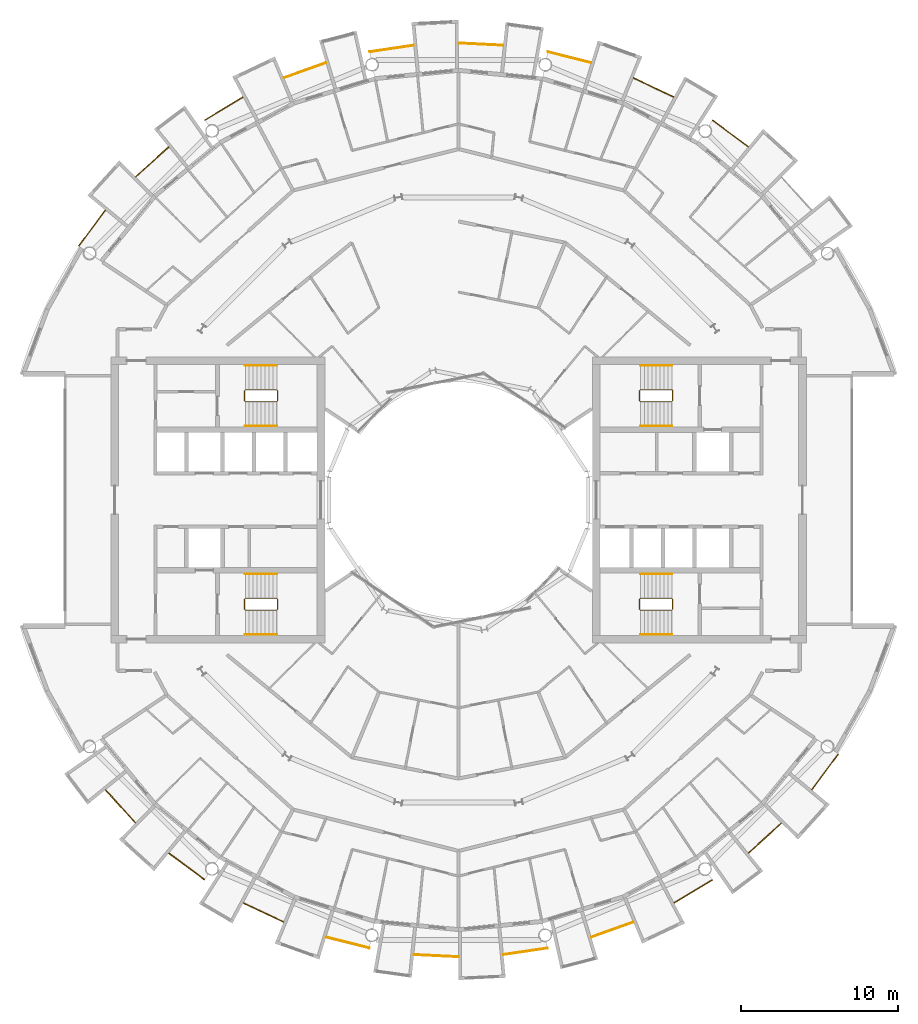
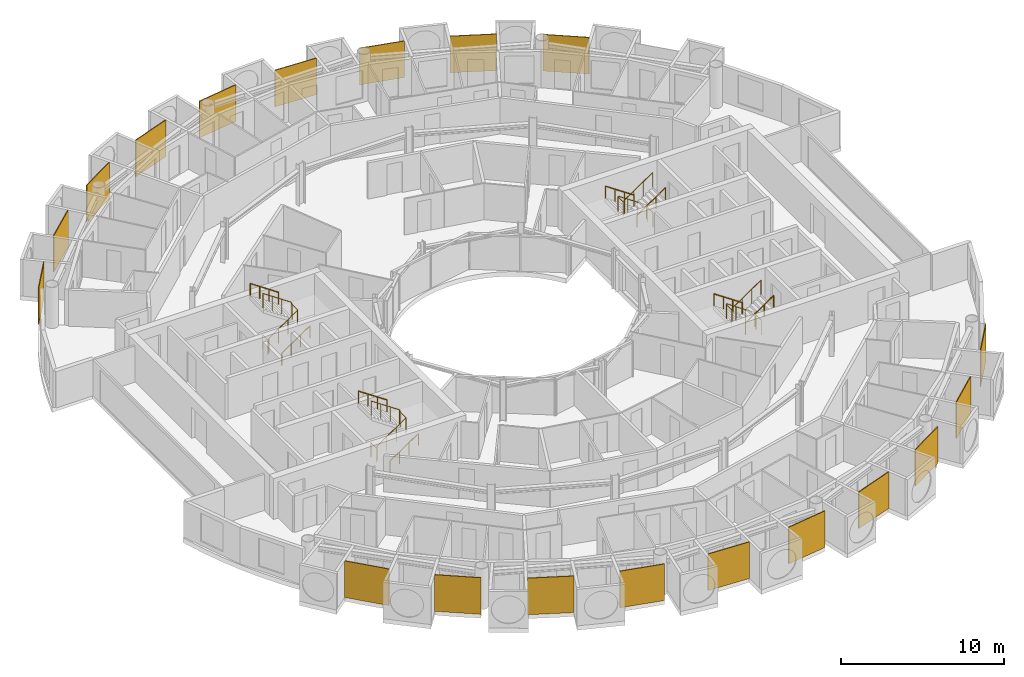
# One storey, part 26 of 27: 31 railings.
"""IFC4 building model written with IfcOpenShell, lengths in metres."""

from ifc_helpers import new_model, si_unit, direction, frame, origin, origin_2d, place, context, subcontext, project, spatial, polyline, circle, outline, extrude, material, layer, layer_set, type_object, element, save


model = new_model("IFC4")

# Units and contexts
model_context = context("Model", 3, precision=1e-05, world=origin(), true_north=direction((0.0, 1.0)))
body_context = subcontext(model_context, "Body", "Model", "MODEL_VIEW")
ifc_project = project(units=[si_unit("LENGTHUNIT", "METRE"), si_unit("AREAUNIT", "SQUARE_METRE"), si_unit("VOLUMEUNIT", "CUBIC_METRE"), si_unit("PLANEANGLEUNIT", "RADIAN"), si_unit("MASSUNIT", "GRAM", prefix="KILO")], contexts=[model_context])

# Site, building, storey
site_placement = place(None, origin())
site = spatial("IfcSite", under=ifc_project, at=site_placement, CompositionType="ELEMENT")
building_placement = place(site_placement, origin())
building = spatial("IfcBuilding", under=site, at=building_placement, Name="Maasbend Ring Residences", CompositionType="ELEMENT")
storey_placement = place(building_placement, frame((0.0, 0.0, 164.64990234375)))
storey = spatial("IfcBuildingStorey", under=building, at=storey_placement, Name="L47", CompositionType="ELEMENT", Elevation=164.64990234375)

# Railings
ifc_material_1 = material(Name="Pale anodised perforated aluminium", Category="aluminium")
ifc_layer = layer(ifc_material_1, 0.06005859375)
ifc_layer_set = layer_set([ifc_layer], Name="SCREEN-P")
railing_type_1 = type_object("IfcRailingType", Name="SCREEN-P", PredefinedType="GUARDRAIL", material=ifc_layer_set)
railing_1_placement = place(storey_placement, frame((0.0, 0.0, -0.02978515625)))
element("IfcRailing", 1, at=railing_1_placement, inside=storey, type_object=railing_type_1, Name="Perforated screen guard 2", PredefinedType="GUARDRAIL", context=body_context, shape_type="SweptSolid", body=[
    extrude(outline(polyline([(18.39697265625, 22.4169921875), (16.112060546875, 24.113037109375), (16.14697265625, 24.160888671875), (18.43310546875, 22.465087890625), (18.39697265625, 22.4169921875)])), origin(), (0.0, 0.0, 1.0), 2.72998046875),
])
railing_2_placement = place(storey_placement, frame((0.0, 0.0, -0.02978515625)))
element("IfcRailing", 2, at=railing_2_placement, inside=storey, type_object=railing_type_1, Name="Perforated screen guard 3", PredefinedType="GUARDRAIL", context=body_context, shape_type="SweptSolid", body=[
    extrude(outline(polyline([(13.6708984375, 25.575927734375), (11.097900390625, 26.79296875), (11.123046875, 26.846923828125), (13.696044921875, 25.6298828125), (13.6708984375, 25.575927734375)])), origin(), (0.0, 0.0, 1.0), 2.72998046875),
])
railing_3_placement = place(storey_placement, frame((0.0, 0.0, -0.02978515625)))
element("IfcRailing", 3, at=railing_3_placement, inside=storey, type_object=railing_type_1, Name="Perforated screen guard 4", PredefinedType="GUARDRAIL", context=body_context, shape_type="SweptSolid", body=[
    extrude(outline(polyline([(8.41796875, 27.7509765625), (5.657958984375, 28.443115234375), (5.672119140625, 28.5009765625), (8.43310546875, 27.80908203125), (8.41796875, 27.7509765625)])), origin(), (0.0, 0.0, 1.0), 2.72998046875),
])
railing_4_placement = place(storey_placement, frame((0.0, 0.0, -0.02978515625)))
element("IfcRailing", 4, at=railing_4_placement, inside=storey, type_object=railing_type_1, Name="Perforated screen guard 5", PredefinedType="GUARDRAIL", context=body_context, shape_type="SweptSolid", body=[
    extrude(outline(polyline([(2.842041015625, 28.860107421875), (0.0, 29.0), (0.0029296875, 29.06005859375), (2.844970703125, 28.919921875), (2.842041015625, 28.860107421875)])), origin(), (0.0, 0.0, 1.0), 2.72998046875),
])
railing_5_placement = place(storey_placement, frame((0.0, 0.0, -0.02978515625)))
element("IfcRailing", 5, at=railing_5_placement, inside=storey, type_object=railing_type_1, Name="Perforated screen guard 6", PredefinedType="GUARDRAIL", context=body_context, shape_type="SweptSolid", body=[
    extrude(outline(polyline([(-2.842041015625, 28.860107421875), (-5.657958984375, 28.443115234375), (-5.666015625, 28.501953125), (-2.85107421875, 28.919921875), (-2.842041015625, 28.860107421875)])), origin(), (0.0, 0.0, 1.0), 2.72998046875),
])
railing_6_placement = place(storey_placement, frame((0.0, 0.0, -0.02978515625)))
element("IfcRailing", 6, at=railing_6_placement, inside=storey, type_object=railing_type_1, Name="Perforated screen guard 7", PredefinedType="GUARDRAIL", context=body_context, shape_type="SweptSolid", body=[
    extrude(outline(polyline([(-8.41796875, 27.7509765625), (-11.097900390625, 26.79296875), (-11.117919921875, 26.84912109375), (-8.43798828125, 27.80810546875), (-8.41796875, 27.7509765625)])), origin(), (0.0, 0.0, 1.0), 2.72998046875),
])
railing_7_placement = place(storey_placement, frame((0.0, 0.0, -0.02978515625)))
element("IfcRailing", 7, at=railing_7_placement, inside=storey, type_object=railing_type_1, Name="Perforated screen guard 8", PredefinedType="GUARDRAIL", context=body_context, shape_type="SweptSolid", body=[
    extrude(outline(polyline([(-13.6708984375, 25.575927734375), (-16.112060546875, 24.113037109375), (-16.14208984375, 24.1640625), (-13.700927734375, 25.626953125), (-13.6708984375, 25.575927734375)])), origin(), (0.0, 0.0, 1.0), 2.72998046875),
])
railing_8_placement = place(storey_placement, frame((0.0, 0.0, -0.02978515625)))
element("IfcRailing", 8, at=railing_8_placement, inside=storey, type_object=railing_type_1, Name="Perforated screen guard 9", PredefinedType="GUARDRAIL", context=body_context, shape_type="SweptSolid", body=[
    extrude(outline(polyline([(-18.39697265625, 22.4169921875), (-20.506103515625, 20.506103515625), (-20.5458984375, 20.551025390625), (-18.43798828125, 22.4619140625), (-18.39697265625, 22.4169921875)])), origin(), (0.0, 0.0, 1.0), 2.72998046875),
])
railing_9_placement = place(storey_placement, frame((0.0, 0.0, -0.02978515625)))
element("IfcRailing", 9, at=railing_9_placement, inside=storey, type_object=railing_type_1, Name="Perforated screen guard 10", PredefinedType="GUARDRAIL", context=body_context, shape_type="SweptSolid", body=[
    extrude(outline(polyline([(-22.4169921875, 18.39697265625), (-24.113037109375, 16.112060546875), (-24.160888671875, 16.14697265625), (-22.465087890625, 18.43310546875), (-22.4169921875, 18.39697265625)])), origin(), (0.0, 0.0, 1.0), 2.72998046875),
])
railing_10_placement = place(storey_placement, frame((0.0, 0.0, -0.02978515625)))
element("IfcRailing", 10, at=railing_10_placement, inside=storey, type_object=railing_type_1, Name="Perforated screen guard 1", PredefinedType="GUARDRAIL", context=body_context, shape_type="SweptSolid", body=[
    extrude(outline(polyline([(-22.4169921875, -18.39697265625), (-20.506103515625, -20.506103515625), (-20.551025390625, -20.5458984375), (-22.4619140625, -18.43798828125), (-22.4169921875, -18.39697265625)])), origin(), (0.0, 0.0, 1.0), 2.72998046875),
])
railing_11_placement = place(storey_placement, frame((0.0, 0.0, -0.02978515625)))
element("IfcRailing", 11, at=railing_11_placement, inside=storey, type_object=railing_type_1, Name="Perforated screen guard 2", PredefinedType="GUARDRAIL", context=body_context, shape_type="SweptSolid", body=[
    extrude(outline(polyline([(-18.39697265625, -22.4169921875), (-16.112060546875, -24.113037109375), (-16.14697265625, -24.160888671875), (-18.43310546875, -22.465087890625), (-18.39697265625, -22.4169921875)])), origin(), (0.0, 0.0, 1.0), 2.72998046875),
])
railing_12_placement = place(storey_placement, frame((0.0, 0.0, -0.02978515625)))
element("IfcRailing", 12, at=railing_12_placement, inside=storey, type_object=railing_type_1, Name="Perforated screen guard 3", PredefinedType="GUARDRAIL", context=body_context, shape_type="SweptSolid", body=[
    extrude(outline(polyline([(-13.6708984375, -25.575927734375), (-11.097900390625, -26.79296875), (-11.123046875, -26.846923828125), (-13.696044921875, -25.6298828125), (-13.6708984375, -25.575927734375)])), origin(), (0.0, 0.0, 1.0), 2.72998046875),
])
railing_13_placement = place(storey_placement, frame((0.0, 0.0, -0.02978515625)))
element("IfcRailing", 13, at=railing_13_placement, inside=storey, type_object=railing_type_1, Name="Perforated screen guard 4", PredefinedType="GUARDRAIL", context=body_context, shape_type="SweptSolid", body=[
    extrude(outline(polyline([(-8.41796875, -27.7509765625), (-5.657958984375, -28.443115234375), (-5.672119140625, -28.5009765625), (-8.43310546875, -27.80908203125), (-8.41796875, -27.7509765625)])), origin(), (0.0, 0.0, 1.0), 2.72998046875),
])
railing_14_placement = place(storey_placement, frame((0.0, 0.0, -0.02978515625)))
element("IfcRailing", 14, at=railing_14_placement, inside=storey, type_object=railing_type_1, Name="Perforated screen guard 5", PredefinedType="GUARDRAIL", context=body_context, shape_type="SweptSolid", body=[
    extrude(outline(polyline([(-2.842041015625, -28.860107421875), (0.0, -29.0), (-0.0029296875, -29.06005859375), (-2.844970703125, -28.919921875), (-2.842041015625, -28.860107421875)])), origin(), (0.0, 0.0, 1.0), 2.72998046875),
])
railing_15_placement = place(storey_placement, frame((0.0, 0.0, -0.02978515625)))
element("IfcRailing", 15, at=railing_15_placement, inside=storey, type_object=railing_type_1, Name="Perforated screen guard 6", PredefinedType="GUARDRAIL", context=body_context, shape_type="SweptSolid", body=[
    extrude(outline(polyline([(2.842041015625, -28.860107421875), (5.657958984375, -28.443115234375), (5.666015625, -28.501953125), (2.85107421875, -28.919921875), (2.842041015625, -28.860107421875)])), origin(), (0.0, 0.0, 1.0), 2.72998046875),
])
railing_16_placement = place(storey_placement, frame((0.0, 0.0, -0.02978515625)))
element("IfcRailing", 16, at=railing_16_placement, inside=storey, type_object=railing_type_1, Name="Perforated screen guard 7", PredefinedType="GUARDRAIL", context=body_context, shape_type="SweptSolid", body=[
    extrude(outline(polyline([(8.41796875, -27.7509765625), (11.097900390625, -26.79296875), (11.117919921875, -26.84912109375), (8.43798828125, -27.80810546875), (8.41796875, -27.7509765625)])), origin(), (0.0, 0.0, 1.0), 2.72998046875),
])
railing_17_placement = place(storey_placement, frame((0.0, 0.0, -0.02978515625)))
element("IfcRailing", 17, at=railing_17_placement, inside=storey, type_object=railing_type_1, Name="Perforated screen guard 8", PredefinedType="GUARDRAIL", context=body_context, shape_type="SweptSolid", body=[
    extrude(outline(polyline([(13.6708984375, -25.575927734375), (16.112060546875, -24.113037109375), (16.14208984375, -24.1640625), (13.700927734375, -25.626953125), (13.6708984375, -25.575927734375)])), origin(), (0.0, 0.0, 1.0), 2.72998046875),
])
railing_18_placement = place(storey_placement, frame((0.0, 0.0, -0.02978515625)))
element("IfcRailing", 18, at=railing_18_placement, inside=storey, type_object=railing_type_1, Name="Perforated screen guard 9", PredefinedType="GUARDRAIL", context=body_context, shape_type="SweptSolid", body=[
    extrude(outline(polyline([(18.39697265625, -22.4169921875), (20.506103515625, -20.506103515625), (20.5458984375, -20.551025390625), (18.43798828125, -22.4619140625), (18.39697265625, -22.4169921875)])), origin(), (0.0, 0.0, 1.0), 2.72998046875),
])
railing_19_placement = place(storey_placement, frame((0.0, 0.0, -0.02978515625)))
element("IfcRailing", 19, at=railing_19_placement, inside=storey, type_object=railing_type_1, Name="Perforated screen guard 10", PredefinedType="GUARDRAIL", context=body_context, shape_type="SweptSolid", body=[
    extrude(outline(polyline([(22.4169921875, -18.39697265625), (24.113037109375, -16.112060546875), (24.160888671875, -16.14697265625), (22.465087890625, -18.43310546875), (22.4169921875, -18.39697265625)])), origin(), (0.0, 0.0, 1.0), 2.72998046875),
])
ifc_material_2 = material(Name="Stainless steel 316", Category="steel")
railing_type_2 = type_object("IfcRailingType", Name="STAIR GUARD 1100", PredefinedType="GUARDRAIL", material=ifc_material_2)
railing_20_placement = place(storey_placement, frame((13.60009765625, 6.300048828125, 0.0)))
element("IfcRailing", 20, at=railing_20_placement, inside=storey, type_object=railing_type_2, Name="L47 ST-E1 stair guard 1", PredefinedType="GUARDRAIL", context=body_context, shape_type="SweptSolid", body=[
    extrude(circle(Radius=0.02392578125, at=origin_2d()), frame((0.0, 0.0, 1.076171875), z_axis=(0.0, 1.0, 0.0), x_axis=(-1.0, 0.0, 0.0)), (0.0, 0.0, 1.0), 0.64990234375),
    extrude(circle(Radius=0.02392578125, at=origin_2d()), frame((0.0, 0.64990234375, 1.076171875), z_axis=(-0.272562526181, 0.272562526181, 0.92272386912), x_axis=(-0.707106781187, -0.707106781187, 0.0)), (0.0, 0.0, 1.0), 0.18359375),
    extrude(circle(Radius=0.02392578125, at=origin_2d()), frame((-0.050048828125, 0.699951171875, 1.24560546875), z_axis=(-0.827750655447, 0.0, 0.561096116906), x_axis=(0.0, -1.0, 0.0)), (0.0, 0.0, 1.0), 2.416259765625),
    extrude(circle(Radius=0.02392578125, at=origin_2d()), frame((-2.050048828125, 0.699951171875, 2.60107421875), z_axis=(-0.707106781187, -0.707106781187, 0.0), x_axis=(0.707106781187, -0.707106781187, 0.0)), (0.0, 0.0, 1.0), 0.07080078125),
    extrude(circle(Radius=0.02392578125, at=origin_2d()), frame((-2.10009765625, 0.64990234375, 2.60107421875), z_axis=(0.0, -1.0, 0.0), x_axis=(1.0, 0.0, 0.0)), (0.0, 0.0, 1.0), 0.64990234375),
    extrude(circle(Radius=0.02392578125, at=origin_2d()), frame((-2.10009765625, 0.0, 2.60107421875), z_axis=(0.272562526181, -0.272562526181, 0.92272386912), x_axis=(0.707106781187, 0.707106781187, 0.0)), (0.0, 0.0, 1.0), 0.18359375),
    extrude(circle(Radius=0.02392578125, at=origin_2d()), frame((-2.050048828125, -0.050048828125, 2.7705078125), z_axis=(0.827797584762, 0.0, 0.561026878735), x_axis=(0.0, 1.0, 0.0)), (0.0, 0.0, 1.0), 2.416015625),
    extrude(circle(Radius=0.02099609375, at=origin_2d()), origin(), (0.0, 0.0, 1.0), 1.052001953125),
    extrude(circle(Radius=0.02099609375, at=origin_2d()), frame((0.0, 0.64990234375, 0.0)), (0.0, 0.0, 1.0), 1.052001953125),
    extrude(circle(Radius=0.02099609375, at=origin_2d()), frame((-0.050048828125, 0.699951171875, 0.16943359375)), (0.0, 0.0, 1.0), 1.052001953125),
    extrude(circle(Radius=0.02099609375, at=origin_2d()), frame((-0.716796875, 0.699951171875, 0.621337890625)), (0.0, 0.0, 1.0), 1.052001953125),
    extrude(circle(Radius=0.02099609375, at=origin_2d()), frame((-1.38330078125, 0.699951171875, 1.0732421875)), (0.0, 0.0, 1.0), 1.052001953125),
    extrude(circle(Radius=0.02099609375, at=origin_2d()), frame((-2.050048828125, 0.699951171875, 1.525146484375)), (0.0, 0.0, 1.0), 1.052001953125),
    extrude(circle(Radius=0.02099609375, at=origin_2d()), frame((-2.10009765625, 0.64990234375, 1.525146484375)), (0.0, 0.0, 1.0), 1.052001953125),
    extrude(circle(Radius=0.02099609375, at=origin_2d()), frame((-2.10009765625, 0.0, 1.525146484375)), (0.0, 0.0, 1.0), 1.052001953125),
    extrude(circle(Radius=0.02099609375, at=origin_2d()), frame((-2.050048828125, -0.050048828125, 1.694580078125)), (0.0, 0.0, 1.0), 1.052001953125),
    extrude(circle(Radius=0.02099609375, at=origin_2d()), frame((-1.38330078125, -0.050048828125, 2.146484375)), (0.0, 0.0, 1.0), 1.052001953125),
    extrude(circle(Radius=0.02099609375, at=origin_2d()), frame((-0.716796875, -0.050048828125, 2.59814453125)), (0.0, 0.0, 1.0), 1.052001953125),
    extrude(circle(Radius=0.02099609375, at=origin_2d()), frame((-0.050048828125, -0.050048828125, 3.050048828125)), (0.0, 0.0, 1.0), 1.052001953125),
])
railing_21_placement = place(storey_placement, frame((13.60009765625, -6.949951171875, 0.0)))
element("IfcRailing", 21, at=railing_21_placement, inside=storey, type_object=railing_type_2, Name="L47 ST-E2 stair guard 1", PredefinedType="GUARDRAIL", context=body_context, shape_type="SweptSolid", body=[
    extrude(circle(Radius=0.02392578125, at=origin_2d()), frame((0.0, 0.0, 1.076171875), z_axis=(0.0, 1.0, 0.0), x_axis=(-1.0, 0.0, 0.0)), (0.0, 0.0, 1.0), 0.64990234375),
    extrude(circle(Radius=0.02392578125, at=origin_2d()), frame((0.0, 0.64990234375, 1.076171875), z_axis=(-0.272562526181, 0.272562526181, 0.92272386912), x_axis=(-0.707106781187, -0.707106781187, 0.0)), (0.0, 0.0, 1.0), 0.18359375),
    extrude(circle(Radius=0.02392578125, at=origin_2d()), frame((-0.050048828125, 0.699951171875, 1.24560546875), z_axis=(-0.827750655447, 0.0, 0.561096116906), x_axis=(0.0, -1.0, 0.0)), (0.0, 0.0, 1.0), 2.416259765625),
    extrude(circle(Radius=0.02392578125, at=origin_2d()), frame((-2.050048828125, 0.699951171875, 2.60107421875), z_axis=(-0.707106781187, -0.707106781187, 0.0), x_axis=(0.707106781187, -0.707106781187, 0.0)), (0.0, 0.0, 1.0), 0.07080078125),
    extrude(circle(Radius=0.02392578125, at=origin_2d()), frame((-2.10009765625, 0.64990234375, 2.60107421875), z_axis=(0.0, -1.0, 0.0), x_axis=(1.0, 0.0, 0.0)), (0.0, 0.0, 1.0), 0.64990234375),
    extrude(circle(Radius=0.02392578125, at=origin_2d()), frame((-2.10009765625, 0.0, 2.60107421875), z_axis=(0.272562526181, -0.272562526181, 0.92272386912), x_axis=(0.707106781187, 0.707106781187, 0.0)), (0.0, 0.0, 1.0), 0.18359375),
    extrude(circle(Radius=0.02392578125, at=origin_2d()), frame((-2.050048828125, -0.050048828125, 2.7705078125), z_axis=(0.827797584762, 0.0, 0.561026878735), x_axis=(0.0, 1.0, 0.0)), (0.0, 0.0, 1.0), 2.416015625),
    extrude(circle(Radius=0.02099609375, at=origin_2d()), origin(), (0.0, 0.0, 1.0), 1.052001953125),
    extrude(circle(Radius=0.02099609375, at=origin_2d()), frame((0.0, 0.64990234375, 0.0)), (0.0, 0.0, 1.0), 1.052001953125),
    extrude(circle(Radius=0.02099609375, at=origin_2d()), frame((-0.050048828125, 0.699951171875, 0.16943359375)), (0.0, 0.0, 1.0), 1.052001953125),
    extrude(circle(Radius=0.02099609375, at=origin_2d()), frame((-0.716796875, 0.699951171875, 0.621337890625)), (0.0, 0.0, 1.0), 1.052001953125),
    extrude(circle(Radius=0.02099609375, at=origin_2d()), frame((-1.38330078125, 0.699951171875, 1.0732421875)), (0.0, 0.0, 1.0), 1.052001953125),
    extrude(circle(Radius=0.02099609375, at=origin_2d()), frame((-2.050048828125, 0.699951171875, 1.525146484375)), (0.0, 0.0, 1.0), 1.052001953125),
    extrude(circle(Radius=0.02099609375, at=origin_2d()), frame((-2.10009765625, 0.64990234375, 1.525146484375)), (0.0, 0.0, 1.0), 1.052001953125),
    extrude(circle(Radius=0.02099609375, at=origin_2d()), frame((-2.10009765625, 0.0, 1.525146484375)), (0.0, 0.0, 1.0), 1.052001953125),
    extrude(circle(Radius=0.02099609375, at=origin_2d()), frame((-2.050048828125, -0.050048828125, 1.694580078125)), (0.0, 0.0, 1.0), 1.052001953125),
    extrude(circle(Radius=0.02099609375, at=origin_2d()), frame((-1.38330078125, -0.050048828125, 2.146484375)), (0.0, 0.0, 1.0), 1.052001953125),
    extrude(circle(Radius=0.02099609375, at=origin_2d()), frame((-0.716796875, -0.050048828125, 2.59814453125)), (0.0, 0.0, 1.0), 1.052001953125),
    extrude(circle(Radius=0.02099609375, at=origin_2d()), frame((-0.050048828125, -0.050048828125, 3.050048828125)), (0.0, 0.0, 1.0), 1.052001953125),
])
railing_22_placement = place(storey_placement, frame((-13.60009765625, -6.300048828125, 0.0)))
element("IfcRailing", 22, at=railing_22_placement, inside=storey, type_object=railing_type_2, Name="L47 ST-W1 stair guard 1", PredefinedType="GUARDRAIL", context=body_context, shape_type="SweptSolid", body=[
    extrude(circle(Radius=0.02392578125, at=origin_2d()), frame((0.0, 0.0, 1.076171875), z_axis=(0.0, -1.0, 0.0), x_axis=(1.0, 0.0, 0.0)), (0.0, 0.0, 1.0), 0.64990234375),
    extrude(circle(Radius=0.02392578125, at=origin_2d()), frame((0.0, -0.64990234375, 1.076171875), z_axis=(0.272562526181, -0.272562526181, 0.92272386912), x_axis=(0.707106781187, 0.707106781187, 0.0)), (0.0, 0.0, 1.0), 0.18359375),
    extrude(circle(Radius=0.02392578125, at=origin_2d()), frame((0.050048828125, -0.699951171875, 1.24560546875), z_axis=(0.827750655447, 0.0, 0.561096116906), x_axis=(0.0, 1.0, 0.0)), (0.0, 0.0, 1.0), 2.416259765625),
    extrude(circle(Radius=0.02392578125, at=origin_2d()), frame((2.050048828125, -0.699951171875, 2.60107421875), z_axis=(0.707106781187, 0.707106781187, 0.0), x_axis=(-0.707106781187, 0.707106781187, 0.0)), (0.0, 0.0, 1.0), 0.07080078125),
    extrude(circle(Radius=0.02392578125, at=origin_2d()), frame((2.10009765625, -0.64990234375, 2.60107421875), z_axis=(0.0, 1.0, 0.0), x_axis=(-1.0, 0.0, 0.0)), (0.0, 0.0, 1.0), 0.64990234375),
    extrude(circle(Radius=0.02392578125, at=origin_2d()), frame((2.10009765625, 0.0, 2.60107421875), z_axis=(-0.272562526181, 0.272562526181, 0.92272386912), x_axis=(-0.707106781187, -0.707106781187, 0.0)), (0.0, 0.0, 1.0), 0.18359375),
    extrude(circle(Radius=0.02392578125, at=origin_2d()), frame((2.050048828125, 0.050048828125, 2.7705078125), z_axis=(-0.827797584762, 0.0, 0.561026878735), x_axis=(0.0, -1.0, 0.0)), (0.0, 0.0, 1.0), 2.416015625),
    extrude(circle(Radius=0.02099609375, at=origin_2d()), origin(), (0.0, 0.0, 1.0), 1.052001953125),
    extrude(circle(Radius=0.02099609375, at=origin_2d()), frame((0.0, -0.64990234375, 0.0)), (0.0, 0.0, 1.0), 1.052001953125),
    extrude(circle(Radius=0.02099609375, at=origin_2d()), frame((0.050048828125, -0.699951171875, 0.16943359375)), (0.0, 0.0, 1.0), 1.052001953125),
    extrude(circle(Radius=0.02099609375, at=origin_2d()), frame((0.716796875, -0.699951171875, 0.621337890625)), (0.0, 0.0, 1.0), 1.052001953125),
    extrude(circle(Radius=0.02099609375, at=origin_2d()), frame((1.38330078125, -0.699951171875, 1.0732421875)), (0.0, 0.0, 1.0), 1.052001953125),
    extrude(circle(Radius=0.02099609375, at=origin_2d()), frame((2.050048828125, -0.699951171875, 1.525146484375)), (0.0, 0.0, 1.0), 1.052001953125),
    extrude(circle(Radius=0.02099609375, at=origin_2d()), frame((2.10009765625, -0.64990234375, 1.525146484375)), (0.0, 0.0, 1.0), 1.052001953125),
    extrude(circle(Radius=0.02099609375, at=origin_2d()), frame((2.10009765625, 0.0, 1.525146484375)), (0.0, 0.0, 1.0), 1.052001953125),
    extrude(circle(Radius=0.02099609375, at=origin_2d()), frame((2.050048828125, 0.050048828125, 1.694580078125)), (0.0, 0.0, 1.0), 1.052001953125),
    extrude(circle(Radius=0.02099609375, at=origin_2d()), frame((1.38330078125, 0.050048828125, 2.146484375)), (0.0, 0.0, 1.0), 1.052001953125),
    extrude(circle(Radius=0.02099609375, at=origin_2d()), frame((0.716796875, 0.050048828125, 2.59814453125)), (0.0, 0.0, 1.0), 1.052001953125),
    extrude(circle(Radius=0.02099609375, at=origin_2d()), frame((0.050048828125, 0.050048828125, 3.050048828125)), (0.0, 0.0, 1.0), 1.052001953125),
])
railing_23_placement = place(storey_placement, frame((-13.60009765625, 6.949951171875, 0.0)))
element("IfcRailing", 23, at=railing_23_placement, inside=storey, type_object=railing_type_2, Name="L47 ST-W2 stair guard 1", PredefinedType="GUARDRAIL", context=body_context, shape_type="SweptSolid", body=[
    extrude(circle(Radius=0.02392578125, at=origin_2d()), frame((0.0, 0.0, 1.076171875), z_axis=(0.0, -1.0, 0.0), x_axis=(1.0, 0.0, 0.0)), (0.0, 0.0, 1.0), 0.64990234375),
    extrude(circle(Radius=0.02392578125, at=origin_2d()), frame((0.0, -0.64990234375, 1.076171875), z_axis=(0.272562526181, -0.272562526181, 0.92272386912), x_axis=(0.707106781187, 0.707106781187, 0.0)), (0.0, 0.0, 1.0), 0.18359375),
    extrude(circle(Radius=0.02392578125, at=origin_2d()), frame((0.050048828125, -0.699951171875, 1.24560546875), z_axis=(0.827750655447, 0.0, 0.561096116906), x_axis=(0.0, 1.0, 0.0)), (0.0, 0.0, 1.0), 2.416259765625),
    extrude(circle(Radius=0.02392578125, at=origin_2d()), frame((2.050048828125, -0.699951171875, 2.60107421875), z_axis=(0.707106781187, 0.707106781187, 0.0), x_axis=(-0.707106781187, 0.707106781187, 0.0)), (0.0, 0.0, 1.0), 0.07080078125),
    extrude(circle(Radius=0.02392578125, at=origin_2d()), frame((2.10009765625, -0.64990234375, 2.60107421875), z_axis=(0.0, 1.0, 0.0), x_axis=(-1.0, 0.0, 0.0)), (0.0, 0.0, 1.0), 0.64990234375),
    extrude(circle(Radius=0.02392578125, at=origin_2d()), frame((2.10009765625, 0.0, 2.60107421875), z_axis=(-0.272562526181, 0.272562526181, 0.92272386912), x_axis=(-0.707106781187, -0.707106781187, 0.0)), (0.0, 0.0, 1.0), 0.18359375),
    extrude(circle(Radius=0.02392578125, at=origin_2d()), frame((2.050048828125, 0.050048828125, 2.7705078125), z_axis=(-0.827797584762, 0.0, 0.561026878735), x_axis=(0.0, -1.0, 0.0)), (0.0, 0.0, 1.0), 2.416015625),
    extrude(circle(Radius=0.02099609375, at=origin_2d()), origin(), (0.0, 0.0, 1.0), 1.052001953125),
    extrude(circle(Radius=0.02099609375, at=origin_2d()), frame((0.0, -0.64990234375, 0.0)), (0.0, 0.0, 1.0), 1.052001953125),
    extrude(circle(Radius=0.02099609375, at=origin_2d()), frame((0.050048828125, -0.699951171875, 0.16943359375)), (0.0, 0.0, 1.0), 1.052001953125),
    extrude(circle(Radius=0.02099609375, at=origin_2d()), frame((0.716796875, -0.699951171875, 0.621337890625)), (0.0, 0.0, 1.0), 1.052001953125),
    extrude(circle(Radius=0.02099609375, at=origin_2d()), frame((1.38330078125, -0.699951171875, 1.0732421875)), (0.0, 0.0, 1.0), 1.052001953125),
    extrude(circle(Radius=0.02099609375, at=origin_2d()), frame((2.050048828125, -0.699951171875, 1.525146484375)), (0.0, 0.0, 1.0), 1.052001953125),
    extrude(circle(Radius=0.02099609375, at=origin_2d()), frame((2.10009765625, -0.64990234375, 1.525146484375)), (0.0, 0.0, 1.0), 1.052001953125),
    extrude(circle(Radius=0.02099609375, at=origin_2d()), frame((2.10009765625, 0.0, 1.525146484375)), (0.0, 0.0, 1.0), 1.052001953125),
    extrude(circle(Radius=0.02099609375, at=origin_2d()), frame((2.050048828125, 0.050048828125, 1.694580078125)), (0.0, 0.0, 1.0), 1.052001953125),
    extrude(circle(Radius=0.02099609375, at=origin_2d()), frame((1.38330078125, 0.050048828125, 2.146484375)), (0.0, 0.0, 1.0), 1.052001953125),
    extrude(circle(Radius=0.02099609375, at=origin_2d()), frame((0.716796875, 0.050048828125, 2.59814453125)), (0.0, 0.0, 1.0), 1.052001953125),
    extrude(circle(Radius=0.02099609375, at=origin_2d()), frame((0.050048828125, 0.050048828125, 3.050048828125)), (0.0, 0.0, 1.0), 1.052001953125),
])
ifc_material_3 = material(Name="Stainless steel 316", Category="steel")
railing_type_3 = type_object("IfcRailingType", Name="STAIR HANDRAIL 900", PredefinedType="HANDRAIL", material=ifc_material_3)
railing_24_placement = place(storey_placement, frame((13.550048828125, 8.550048828125, 0.16943359375)))
element("IfcRailing", 24, at=railing_24_placement, inside=storey, type_object=railing_type_3, Name="L47 ST-E1 stair handrail 1", PredefinedType="HANDRAIL", context=body_context, shape_type="SweptSolid", body=[
    extrude(circle(Radius=0.02392578125, at=origin_2d()), frame((0.0, 0.0, 0.8759765625), z_axis=(-0.827750655447, 0.0, 0.561096116906), x_axis=(0.0, -1.0, 0.0)), (0.0, 0.0, 1.0), 2.416259765625),
    extrude(circle(Radius=0.02099609375, at=origin_2d()), origin(), (0.0, 0.0, 1.0), 0.851806640625),
    extrude(circle(Radius=0.02099609375, at=origin_2d()), frame((-0.666748046875, 0.0, 0.451904296875)), (0.0, 0.0, 1.0), 0.851806640625),
    extrude(circle(Radius=0.02099609375, at=origin_2d()), frame((-1.333251953125, 0.0, 0.90380859375)), (0.0, 0.0, 1.0), 0.851806640625),
    extrude(circle(Radius=0.02099609375, at=origin_2d()), frame((-2.0, 0.0, 1.355712890625)), (0.0, 0.0, 1.0), 0.851806640625),
])
railing_25_placement = place(storey_placement, frame((11.550048828125, 4.699951171875, 1.694580078125)))
element("IfcRailing", 25, at=railing_25_placement, inside=storey, type_object=railing_type_3, Name="L47 ST-E1 stair handrail 2", PredefinedType="HANDRAIL", context=body_context, shape_type="SweptSolid", body=[
    extrude(circle(Radius=0.02392578125, at=origin_2d()), frame((0.0, 0.0, 0.8759765625), z_axis=(0.827797584762, 0.0, 0.561026878735), x_axis=(0.0, 1.0, 0.0)), (0.0, 0.0, 1.0), 2.416015625),
    extrude(circle(Radius=0.02099609375, at=origin_2d()), origin(), (0.0, 0.0, 1.0), 0.851806640625),
    extrude(circle(Radius=0.02099609375, at=origin_2d()), frame((0.666748046875, 0.0, 0.451904296875)), (0.0, 0.0, 1.0), 0.851806640625),
    extrude(circle(Radius=0.02099609375, at=origin_2d()), frame((1.333251953125, 0.0, 0.903564453125)), (0.0, 0.0, 1.0), 0.851806640625),
    extrude(circle(Radius=0.02099609375, at=origin_2d()), frame((2.0, 0.0, 1.35546875)), (0.0, 0.0, 1.0), 0.851806640625),
])
railing_26_placement = place(storey_placement, frame((13.550048828125, -4.699951171875, 0.16943359375)))
element("IfcRailing", 26, at=railing_26_placement, inside=storey, type_object=railing_type_3, Name="L47 ST-E2 stair handrail 1", PredefinedType="HANDRAIL", context=body_context, shape_type="SweptSolid", body=[
    extrude(circle(Radius=0.02392578125, at=origin_2d()), frame((0.0, 0.0, 0.8759765625), z_axis=(-0.827750655447, 0.0, 0.561096116906), x_axis=(0.0, -1.0, 0.0)), (0.0, 0.0, 1.0), 2.416259765625),
    extrude(circle(Radius=0.02099609375, at=origin_2d()), origin(), (0.0, 0.0, 1.0), 0.851806640625),
    extrude(circle(Radius=0.02099609375, at=origin_2d()), frame((-0.666748046875, 0.0, 0.451904296875)), (0.0, 0.0, 1.0), 0.851806640625),
    extrude(circle(Radius=0.02099609375, at=origin_2d()), frame((-1.333251953125, 0.0, 0.90380859375)), (0.0, 0.0, 1.0), 0.851806640625),
    extrude(circle(Radius=0.02099609375, at=origin_2d()), frame((-2.0, 0.0, 1.355712890625)), (0.0, 0.0, 1.0), 0.851806640625),
])
railing_27_placement = place(storey_placement, frame((11.550048828125, -8.550048828125, 1.694580078125)))
element("IfcRailing", 27, at=railing_27_placement, inside=storey, type_object=railing_type_3, Name="L47 ST-E2 stair handrail 2", PredefinedType="HANDRAIL", context=body_context, shape_type="SweptSolid", body=[
    extrude(circle(Radius=0.02392578125, at=origin_2d()), frame((0.0, 0.0, 0.8759765625), z_axis=(0.827797584762, 0.0, 0.561026878735), x_axis=(0.0, 1.0, 0.0)), (0.0, 0.0, 1.0), 2.416015625),
    extrude(circle(Radius=0.02099609375, at=origin_2d()), origin(), (0.0, 0.0, 1.0), 0.851806640625),
    extrude(circle(Radius=0.02099609375, at=origin_2d()), frame((0.666748046875, 0.0, 0.451904296875)), (0.0, 0.0, 1.0), 0.851806640625),
    extrude(circle(Radius=0.02099609375, at=origin_2d()), frame((1.333251953125, 0.0, 0.903564453125)), (0.0, 0.0, 1.0), 0.851806640625),
    extrude(circle(Radius=0.02099609375, at=origin_2d()), frame((2.0, 0.0, 1.35546875)), (0.0, 0.0, 1.0), 0.851806640625),
])
railing_28_placement = place(storey_placement, frame((-13.550048828125, -8.550048828125, 0.16943359375)))
element("IfcRailing", 28, at=railing_28_placement, inside=storey, type_object=railing_type_3, Name="L47 ST-W1 stair handrail 1", PredefinedType="HANDRAIL", context=body_context, shape_type="SweptSolid", body=[
    extrude(circle(Radius=0.02392578125, at=origin_2d()), frame((0.0, 0.0, 0.8759765625), z_axis=(0.827750655447, 0.0, 0.561096116906), x_axis=(0.0, 1.0, 0.0)), (0.0, 0.0, 1.0), 2.416259765625),
    extrude(circle(Radius=0.02099609375, at=origin_2d()), origin(), (0.0, 0.0, 1.0), 0.851806640625),
    extrude(circle(Radius=0.02099609375, at=origin_2d()), frame((0.666748046875, 0.0, 0.451904296875)), (0.0, 0.0, 1.0), 0.851806640625),
    extrude(circle(Radius=0.02099609375, at=origin_2d()), frame((1.333251953125, 0.0, 0.90380859375)), (0.0, 0.0, 1.0), 0.851806640625),
    extrude(circle(Radius=0.02099609375, at=origin_2d()), frame((2.0, 0.0, 1.355712890625)), (0.0, 0.0, 1.0), 0.851806640625),
])
railing_29_placement = place(storey_placement, frame((-11.550048828125, -4.699951171875, 1.694580078125)))
element("IfcRailing", 29, at=railing_29_placement, inside=storey, type_object=railing_type_3, Name="L47 ST-W1 stair handrail 2", PredefinedType="HANDRAIL", context=body_context, shape_type="SweptSolid", body=[
    extrude(circle(Radius=0.02392578125, at=origin_2d()), frame((0.0, 0.0, 0.8759765625), z_axis=(-0.827797584762, 0.0, 0.561026878735), x_axis=(0.0, -1.0, 0.0)), (0.0, 0.0, 1.0), 2.416015625),
    extrude(circle(Radius=0.02099609375, at=origin_2d()), origin(), (0.0, 0.0, 1.0), 0.851806640625),
    extrude(circle(Radius=0.02099609375, at=origin_2d()), frame((-0.666748046875, 0.0, 0.451904296875)), (0.0, 0.0, 1.0), 0.851806640625),
    extrude(circle(Radius=0.02099609375, at=origin_2d()), frame((-1.333251953125, 0.0, 0.903564453125)), (0.0, 0.0, 1.0), 0.851806640625),
    extrude(circle(Radius=0.02099609375, at=origin_2d()), frame((-2.0, 0.0, 1.35546875)), (0.0, 0.0, 1.0), 0.851806640625),
])
railing_30_placement = place(storey_placement, frame((-13.550048828125, 4.699951171875, 0.16943359375)))
element("IfcRailing", 30, at=railing_30_placement, inside=storey, type_object=railing_type_3, Name="L47 ST-W2 stair handrail 1", PredefinedType="HANDRAIL", context=body_context, shape_type="SweptSolid", body=[
    extrude(circle(Radius=0.02392578125, at=origin_2d()), frame((0.0, 0.0, 0.8759765625), z_axis=(0.827750655447, 0.0, 0.561096116906), x_axis=(0.0, 1.0, 0.0)), (0.0, 0.0, 1.0), 2.416259765625),
    extrude(circle(Radius=0.02099609375, at=origin_2d()), origin(), (0.0, 0.0, 1.0), 0.851806640625),
    extrude(circle(Radius=0.02099609375, at=origin_2d()), frame((0.666748046875, 0.0, 0.451904296875)), (0.0, 0.0, 1.0), 0.851806640625),
    extrude(circle(Radius=0.02099609375, at=origin_2d()), frame((1.333251953125, 0.0, 0.90380859375)), (0.0, 0.0, 1.0), 0.851806640625),
    extrude(circle(Radius=0.02099609375, at=origin_2d()), frame((2.0, 0.0, 1.355712890625)), (0.0, 0.0, 1.0), 0.851806640625),
])
railing_31_placement = place(storey_placement, frame((-11.550048828125, 8.550048828125, 1.694580078125)))
element("IfcRailing", 31, at=railing_31_placement, inside=storey, type_object=railing_type_3, Name="L47 ST-W2 stair handrail 2", PredefinedType="HANDRAIL", context=body_context, shape_type="SweptSolid", body=[
    extrude(circle(Radius=0.02392578125, at=origin_2d()), frame((0.0, 0.0, 0.8759765625), z_axis=(-0.827797584762, 0.0, 0.561026878735), x_axis=(0.0, -1.0, 0.0)), (0.0, 0.0, 1.0), 2.416015625),
    extrude(circle(Radius=0.02099609375, at=origin_2d()), origin(), (0.0, 0.0, 1.0), 0.851806640625),
    extrude(circle(Radius=0.02099609375, at=origin_2d()), frame((-0.666748046875, 0.0, 0.451904296875)), (0.0, 0.0, 1.0), 0.851806640625),
    extrude(circle(Radius=0.02099609375, at=origin_2d()), frame((-1.333251953125, 0.0, 0.903564453125)), (0.0, 0.0, 1.0), 0.851806640625),
    extrude(circle(Radius=0.02099609375, at=origin_2d()), frame((-2.0, 0.0, 1.35546875)), (0.0, 0.0, 1.0), 0.851806640625),
])

save(model, "model.ifc")
